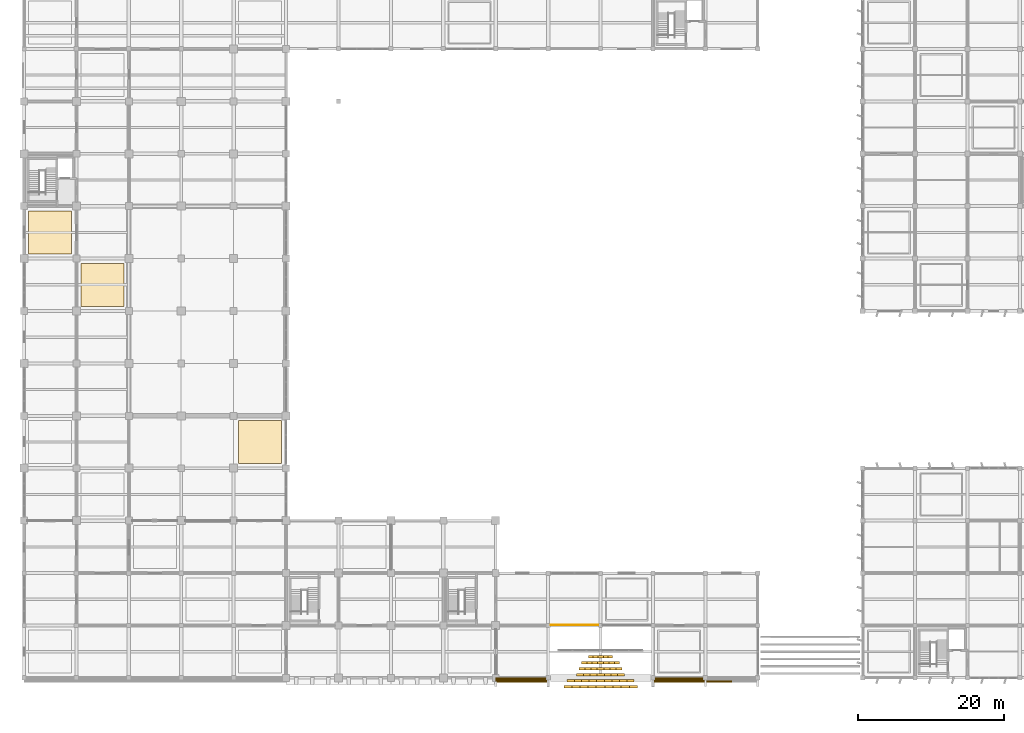
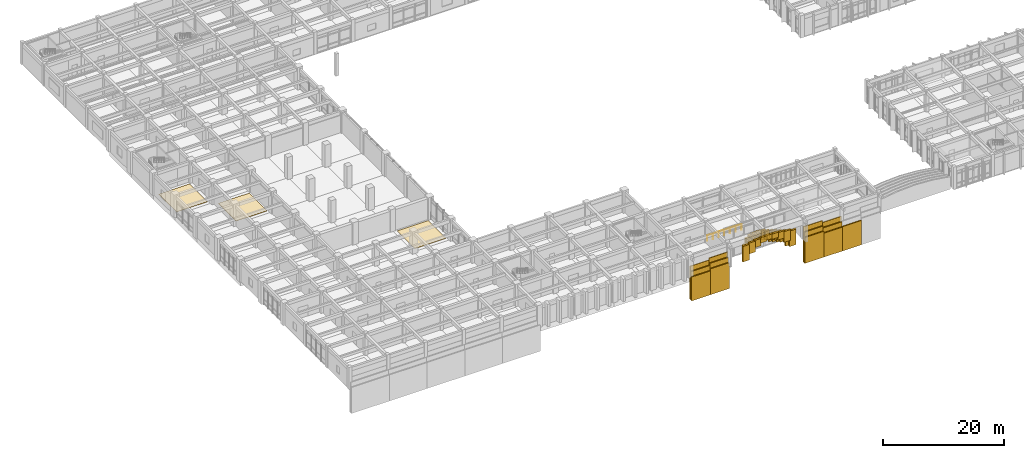
# One storey, part 74 of 81: 60 coverings, 1 railing.
"""IFC4 building model written with IfcOpenShell, lengths in metres."""

from ifc_helpers import new_model, si_unit, direction, frame, origin, origin_2d, place, context, subcontext, project, spatial, polyline, circle, outline, extrude, material, layer, layer_set, type_object, element, save


model = new_model("IFC4")

# Units and contexts
model_context = context("Model", 3, precision=1e-05, world=origin(), true_north=direction((0.0, 1.0)))
body_context = subcontext(model_context, "Body", "Model", "MODEL_VIEW")
ifc_project = project(units=[si_unit("LENGTHUNIT", "METRE"), si_unit("AREAUNIT", "SQUARE_METRE"), si_unit("VOLUMEUNIT", "CUBIC_METRE"), si_unit("PLANEANGLEUNIT", "RADIAN"), si_unit("MASSUNIT", "GRAM", prefix="KILO")], contexts=[model_context])

# Site, building, storey
site_placement = place(None, origin())
site = spatial("IfcSite", under=ifc_project, at=site_placement, CompositionType="ELEMENT")
building_placement = place(site_placement, origin())
building = spatial("IfcBuilding", under=site, at=building_placement, Name="Kavelor Marine Aquarium", CompositionType="ELEMENT")
storey_placement = place(building_placement, frame((0.0, 0.0, 4.679931640625)))
storey = spatial("IfcBuildingStorey", under=building, at=storey_placement, Name="L01", CompositionType="ELEMENT", Elevation=4.679931640625)

# Coverings
ifc_material_1 = material(Name="Concrete C45/55", Category="concrete")
ifc_layer_1 = layer(ifc_material_1, 0.300048828125)
ifc_layer_set_1 = layer_set([ifc_layer_1], Name="COV-BND1")
covering_type_1 = type_object("IfcCoveringType", Name="COV-BND1", PredefinedType="CLADDING", material=ifc_layer_set_1)
covering_1_placement = place(storey_placement, frame((0.0, 0.0, 0.36669921875)))
element("IfcCovering", 1, at=covering_1_placement, inside=storey, type_object=covering_type_1, Name="arch:south:1:seg:01", PredefinedType="CLADDING", context=body_context, shape_type="SweptSolid", body=[
    extrude(outline(polyline([(77.34912109375, 1.389892578125), (78.578125, 1.389892578125), (78.578125, 1.72998046875), (77.34912109375, 1.72998046875), (77.34912109375, 1.389892578125)])), origin(), (0.0, 0.0, 1.0), 3.125),
])
covering_2_placement = place(storey_placement, frame((0.0, 0.0, 1.59326171875)))
element("IfcCovering", 2, at=covering_2_placement, inside=storey, type_object=covering_type_1, Name="arch:south:1:seg:02", PredefinedType="CLADDING", context=body_context, shape_type="SweptSolid", body=[
    extrude(outline(polyline([(78.458251953125, 1.389892578125), (79.687255859375, 1.389892578125), (79.687255859375, 1.72998046875), (78.458251953125, 1.72998046875), (78.458251953125, 1.389892578125)])), origin(), (0.0, 0.0, 1.0), 2.164794921875),
])
covering_3_placement = place(storey_placement, frame((0.0, 0.0, 2.46923828125)))
element("IfcCovering", 3, at=covering_3_placement, inside=storey, type_object=covering_type_1, Name="arch:south:1:seg:03", PredefinedType="CLADDING", context=body_context, shape_type="SweptSolid", body=[
    extrude(outline(polyline([(79.5673828125, 1.389892578125), (80.79638671875, 1.389892578125), (80.79638671875, 1.72998046875), (79.5673828125, 1.72998046875), (79.5673828125, 1.389892578125)])), origin(), (0.0, 0.0, 1.0), 1.478759765625),
])
covering_4_placement = place(storey_placement, frame((0.0, 0.0, 2.994873046875)))
element("IfcCovering", 4, at=covering_4_placement, inside=storey, type_object=covering_type_1, Name="arch:south:1:seg:04", PredefinedType="CLADDING", context=body_context, shape_type="SweptSolid", body=[
    extrude(outline(polyline([(80.676513671875, 1.389892578125), (81.905517578125, 1.389892578125), (81.905517578125, 1.72998046875), (80.676513671875, 1.72998046875), (80.676513671875, 1.389892578125)])), origin(), (0.0, 0.0, 1.0), 1.067138671875),
])
covering_5_placement = place(storey_placement, frame((0.0, 0.0, 3.170166015625)))
element("IfcCovering", 5, at=covering_5_placement, inside=storey, type_object=covering_type_1, Name="arch:south:1:seg:05", PredefinedType="CLADDING", context=body_context, shape_type="SweptSolid", body=[
    extrude(outline(polyline([(81.785400390625, 1.389892578125), (83.014404296875, 1.389892578125), (83.014404296875, 1.72998046875), (81.785400390625, 1.72998046875), (81.785400390625, 1.389892578125)])), origin(), (0.0, 0.0, 1.0), 0.929931640625),
])
covering_6_placement = place(storey_placement, frame((0.0, 0.0, 2.994873046875)))
element("IfcCovering", 6, at=covering_6_placement, inside=storey, type_object=covering_type_1, Name="arch:south:1:seg:06", PredefinedType="CLADDING", context=body_context, shape_type="SweptSolid", body=[
    extrude(outline(polyline([(82.89453125, 1.389892578125), (84.12353515625, 1.389892578125), (84.12353515625, 1.72998046875), (82.89453125, 1.72998046875), (82.89453125, 1.389892578125)])), origin(), (0.0, 0.0, 1.0), 1.067138671875),
])
covering_7_placement = place(storey_placement, frame((0.0, 0.0, 2.46923828125)))
element("IfcCovering", 7, at=covering_7_placement, inside=storey, type_object=covering_type_1, Name="arch:south:1:seg:07", PredefinedType="CLADDING", context=body_context, shape_type="SweptSolid", body=[
    extrude(outline(polyline([(84.003662109375, 1.389892578125), (85.232666015625, 1.389892578125), (85.232666015625, 1.72998046875), (84.003662109375, 1.72998046875), (84.003662109375, 1.389892578125)])), origin(), (0.0, 0.0, 1.0), 1.478759765625),
])
covering_8_placement = place(storey_placement, frame((0.0, 0.0, 1.59326171875)))
element("IfcCovering", 8, at=covering_8_placement, inside=storey, type_object=covering_type_1, Name="arch:south:1:seg:08", PredefinedType="CLADDING", context=body_context, shape_type="SweptSolid", body=[
    extrude(outline(polyline([(85.11279296875, 1.389892578125), (86.341796875, 1.389892578125), (86.341796875, 1.72998046875), (85.11279296875, 1.72998046875), (85.11279296875, 1.389892578125)])), origin(), (0.0, 0.0, 1.0), 2.164794921875),
])
covering_9_placement = place(storey_placement, frame((0.0, 0.0, 0.36669921875)))
element("IfcCovering", 9, at=covering_9_placement, inside=storey, type_object=covering_type_1, Name="arch:south:1:seg:09", PredefinedType="CLADDING", context=body_context, shape_type="SweptSolid", body=[
    extrude(outline(polyline([(86.2216796875, 1.389892578125), (87.450927734375, 1.389892578125), (87.450927734375, 1.72998046875), (86.2216796875, 1.72998046875), (86.2216796875, 1.389892578125)])), origin(), (0.0, 0.0, 1.0), 3.125),
])
ifc_material_2 = material(Name="Concrete C45/55", Category="concrete")
ifc_layer_2 = layer(ifc_material_2, 0.320068359375)
ifc_layer_set_2 = layer_set([ifc_layer_2], Name="COV-BND2")
covering_type_2 = type_object("IfcCoveringType", Name="COV-BND2", PredefinedType="CLADDING", material=ifc_layer_set_2)
covering_10_placement = place(storey_placement, frame((0.0, 0.0, 0.05712890625)))
element("IfcCovering", 10, at=covering_10_placement, inside=storey, type_object=covering_type_2, Name="arch:south:2:seg:01", PredefinedType="CLADDING", context=body_context, shape_type="SweptSolid", body=[
    extrude(outline(polyline([(77.7744140625, 2.219970703125), (78.9091796875, 2.219970703125), (78.9091796875, 2.56005859375), (77.7744140625, 2.56005859375), (77.7744140625, 2.219970703125)])), origin(), (0.0, 0.0, 1.0), 3.0546875),
])
covering_11_placement = place(storey_placement, frame((0.0, 0.0, 1.2001953125)))
element("IfcCovering", 11, at=covering_11_placement, inside=storey, type_object=covering_type_2, Name="arch:south:2:seg:02", PredefinedType="CLADDING", context=body_context, shape_type="SweptSolid", body=[
    extrude(outline(polyline([(78.7890625, 2.219970703125), (79.923583984375, 2.219970703125), (79.923583984375, 2.56005859375), (78.7890625, 2.56005859375), (78.7890625, 2.219970703125)])), origin(), (0.0, 0.0, 1.0), 2.177734375),
])
covering_12_placement = place(storey_placement, frame((0.0, 0.0, 2.016845703125)))
element("IfcCovering", 12, at=covering_12_placement, inside=storey, type_object=covering_type_2, Name="arch:south:2:seg:03", PredefinedType="CLADDING", context=body_context, shape_type="SweptSolid", body=[
    extrude(outline(polyline([(79.8037109375, 2.219970703125), (80.938232421875, 2.219970703125), (80.938232421875, 2.56005859375), (79.8037109375, 2.56005859375), (79.8037109375, 2.219970703125)])), origin(), (0.0, 0.0, 1.0), 1.551025390625),
])
covering_13_placement = place(storey_placement, frame((0.0, 0.0, 2.5068359375)))
element("IfcCovering", 13, at=covering_13_placement, inside=storey, type_object=covering_type_2, Name="arch:south:2:seg:04", PredefinedType="CLADDING", context=body_context, shape_type="SweptSolid", body=[
    extrude(outline(polyline([(80.818115234375, 2.219970703125), (81.95263671875, 2.219970703125), (81.95263671875, 2.56005859375), (80.818115234375, 2.56005859375), (80.818115234375, 2.219970703125)])), origin(), (0.0, 0.0, 1.0), 1.17529296875),
])
covering_14_placement = place(storey_placement, frame((0.0, 0.0, 2.670166015625)))
element("IfcCovering", 14, at=covering_14_placement, inside=storey, type_object=covering_type_2, Name="arch:south:2:seg:05", PredefinedType="CLADDING", context=body_context, shape_type="SweptSolid", body=[
    extrude(outline(polyline([(81.832763671875, 2.219970703125), (82.96728515625, 2.219970703125), (82.96728515625, 2.56005859375), (81.832763671875, 2.56005859375), (81.832763671875, 2.219970703125)])), origin(), (0.0, 0.0, 1.0), 1.0498046875),
])
covering_15_placement = place(storey_placement, frame((0.0, 0.0, 2.5068359375)))
element("IfcCovering", 15, at=covering_15_placement, inside=storey, type_object=covering_type_2, Name="arch:south:2:seg:06", PredefinedType="CLADDING", context=body_context, shape_type="SweptSolid", body=[
    extrude(outline(polyline([(82.847412109375, 2.219970703125), (83.981689453125, 2.219970703125), (83.981689453125, 2.56005859375), (82.847412109375, 2.56005859375), (82.847412109375, 2.219970703125)])), origin(), (0.0, 0.0, 1.0), 1.17529296875),
])
covering_16_placement = place(storey_placement, frame((0.0, 0.0, 2.016845703125)))
element("IfcCovering", 16, at=covering_16_placement, inside=storey, type_object=covering_type_2, Name="arch:south:2:seg:07", PredefinedType="CLADDING", context=body_context, shape_type="SweptSolid", body=[
    extrude(outline(polyline([(83.86181640625, 2.219970703125), (84.996337890625, 2.219970703125), (84.996337890625, 2.56005859375), (83.86181640625, 2.56005859375), (83.86181640625, 2.219970703125)])), origin(), (0.0, 0.0, 1.0), 1.551025390625),
])
covering_17_placement = place(storey_placement, frame((0.0, 0.0, 1.2001953125)))
element("IfcCovering", 17, at=covering_17_placement, inside=storey, type_object=covering_type_2, Name="arch:south:2:seg:08", PredefinedType="CLADDING", context=body_context, shape_type="SweptSolid", body=[
    extrude(outline(polyline([(84.87646484375, 2.219970703125), (86.010986328125, 2.219970703125), (86.010986328125, 2.56005859375), (84.87646484375, 2.56005859375), (84.87646484375, 2.219970703125)])), origin(), (0.0, 0.0, 1.0), 2.177734375),
])
covering_18_placement = place(storey_placement, frame((0.0, 0.0, 0.05712890625)))
element("IfcCovering", 18, at=covering_18_placement, inside=storey, type_object=covering_type_2, Name="arch:south:2:seg:09", PredefinedType="CLADDING", context=body_context, shape_type="SweptSolid", body=[
    extrude(outline(polyline([(85.890869140625, 2.219970703125), (87.025390625, 2.219970703125), (87.025390625, 2.56005859375), (85.890869140625, 2.56005859375), (85.890869140625, 2.219970703125)])), origin(), (0.0, 0.0, 1.0), 3.0546875),
])
ifc_material_3 = material(Name="Concrete C45/55", Category="concrete")
ifc_layer_3 = layer(ifc_material_3, 0.340087890625)
ifc_layer_set_3 = layer_set([ifc_layer_3], Name="COV-BND3")
covering_type_3 = type_object("IfcCoveringType", Name="COV-BND3", PredefinedType="CLADDING", material=ifc_layer_set_3)
covering_19_placement = place(storey_placement, frame((0.0, 0.0, 0.807373046875)))
element("IfcCovering", 19, at=covering_19_placement, inside=storey, type_object=covering_type_3, Name="arch:south:3:seg:02", PredefinedType="CLADDING", context=body_context, shape_type="SweptSolid", body=[
    extrude(outline(polyline([(79.1201171875, 3.050048828125), (80.159912109375, 3.050048828125), (80.159912109375, 3.389892578125), (79.1201171875, 3.389892578125), (79.1201171875, 3.050048828125)])), origin(), (0.0, 0.0, 1.0), 2.190673828125),
])
covering_20_placement = place(storey_placement, frame((0.0, 0.0, 1.564453125)))
element("IfcCovering", 20, at=covering_20_placement, inside=storey, type_object=covering_type_3, Name="arch:south:3:seg:03", PredefinedType="CLADDING", context=body_context, shape_type="SweptSolid", body=[
    extrude(outline(polyline([(80.0400390625, 3.050048828125), (81.080078125, 3.050048828125), (81.080078125, 3.389892578125), (80.0400390625, 3.389892578125), (80.0400390625, 3.050048828125)])), origin(), (0.0, 0.0, 1.0), 1.62353515625),
])
covering_21_placement = place(storey_placement, frame((0.0, 0.0, 2.0185546875)))
element("IfcCovering", 21, at=covering_21_placement, inside=storey, type_object=covering_type_3, Name="arch:south:3:seg:04", PredefinedType="CLADDING", context=body_context, shape_type="SweptSolid", body=[
    extrude(outline(polyline([(80.9599609375, 3.050048828125), (82.0, 3.050048828125), (82.0, 3.389892578125), (80.9599609375, 3.389892578125), (80.9599609375, 3.050048828125)])), origin(), (0.0, 0.0, 1.0), 1.283447265625),
])
covering_22_placement = place(storey_placement, frame((0.0, 0.0, 2.170166015625)))
element("IfcCovering", 22, at=covering_22_placement, inside=storey, type_object=covering_type_3, Name="arch:south:3:seg:05", PredefinedType="CLADDING", context=body_context, shape_type="SweptSolid", body=[
    extrude(outline(polyline([(81.8798828125, 3.050048828125), (82.919921875, 3.050048828125), (82.919921875, 3.389892578125), (81.8798828125, 3.389892578125), (81.8798828125, 3.050048828125)])), origin(), (0.0, 0.0, 1.0), 1.169921875),
])
covering_23_placement = place(storey_placement, frame((0.0, 0.0, 2.0185546875)))
element("IfcCovering", 23, at=covering_23_placement, inside=storey, type_object=covering_type_3, Name="arch:south:3:seg:06", PredefinedType="CLADDING", context=body_context, shape_type="SweptSolid", body=[
    extrude(outline(polyline([(82.800048828125, 3.050048828125), (83.840087890625, 3.050048828125), (83.840087890625, 3.389892578125), (82.800048828125, 3.389892578125), (82.800048828125, 3.050048828125)])), origin(), (0.0, 0.0, 1.0), 1.283447265625),
])
covering_24_placement = place(storey_placement, frame((0.0, 0.0, 1.564453125)))
element("IfcCovering", 24, at=covering_24_placement, inside=storey, type_object=covering_type_3, Name="arch:south:3:seg:07", PredefinedType="CLADDING", context=body_context, shape_type="SweptSolid", body=[
    extrude(outline(polyline([(83.719970703125, 3.050048828125), (84.760009765625, 3.050048828125), (84.760009765625, 3.389892578125), (83.719970703125, 3.389892578125), (83.719970703125, 3.050048828125)])), origin(), (0.0, 0.0, 1.0), 1.62353515625),
])
covering_25_placement = place(storey_placement, frame((0.0, 0.0, 0.807373046875)))
element("IfcCovering", 25, at=covering_25_placement, inside=storey, type_object=covering_type_3, Name="arch:south:3:seg:08", PredefinedType="CLADDING", context=body_context, shape_type="SweptSolid", body=[
    extrude(outline(polyline([(84.639892578125, 3.050048828125), (85.679931640625, 3.050048828125), (85.679931640625, 3.389892578125), (84.639892578125, 3.389892578125), (84.639892578125, 3.050048828125)])), origin(), (0.0, 0.0, 1.0), 2.190673828125),
])
ifc_material_4 = material(Name="Concrete C45/55", Category="concrete")
ifc_layer_4 = layer(ifc_material_4, 0.360107421875)
ifc_layer_set_4 = layer_set([ifc_layer_4], Name="COV-BND4")
covering_type_4 = type_object("IfcCoveringType", Name="COV-BND4", PredefinedType="CLADDING", material=ifc_layer_set_4)
covering_26_placement = place(storey_placement, frame((0.0, 0.0, -4.679931640625)))
element("IfcCovering", 26, at=covering_26_placement, inside=storey, type_object=covering_type_4, Name="band:south:4:l:00", PredefinedType="CLADDING", context=body_context, shape_type="SweptSolid", body=[
    extrude(outline(polyline([(68.0, 2.18994140625), (71.60009765625, 2.18994140625), (71.60009765625, 2.409912109375), (68.0, 2.409912109375), (68.0, 2.18994140625)])), origin(), (0.0, 0.0, 1.0), 4.8076171875),
])
covering_27_placement = place(storey_placement, frame((0.0, 0.0, -4.679931640625)))
element("IfcCovering", 27, at=covering_27_placement, inside=storey, type_object=covering_type_4, Name="band:south:4:l:01", PredefinedType="CLADDING", context=body_context, shape_type="SweptSolid", body=[
    extrude(outline(polyline([(71.60009765625, 2.18994140625), (75.199951171875, 2.18994140625), (75.199951171875, 2.409912109375), (71.60009765625, 2.409912109375), (71.60009765625, 2.18994140625)])), origin(), (0.0, 0.0, 1.0), 5.20068359375),
])
covering_28_placement = place(storey_placement, frame((0.0, 0.0, -4.679931640625)))
element("IfcCovering", 28, at=covering_28_placement, inside=storey, type_object=covering_type_4, Name="band:south:4:r:00", PredefinedType="CLADDING", context=body_context, shape_type="SweptSolid", body=[
    extrude(outline(polyline([(89.60009765625, 2.18994140625), (93.199951171875, 2.18994140625), (93.199951171875, 2.409912109375), (89.60009765625, 2.409912109375), (89.60009765625, 2.18994140625)])), origin(), (0.0, 0.0, 1.0), 5.20068359375),
])
covering_29_placement = place(storey_placement, frame((0.0, 0.0, -4.679931640625)))
element("IfcCovering", 29, at=covering_29_placement, inside=storey, type_object=covering_type_4, Name="band:south:4:r:01", PredefinedType="CLADDING", context=body_context, shape_type="SweptSolid", body=[
    extrude(outline(polyline([(93.199951171875, 2.18994140625), (96.800048828125, 2.18994140625), (96.800048828125, 2.409912109375), (93.199951171875, 2.409912109375), (93.199951171875, 2.18994140625)])), origin(), (0.0, 0.0, 1.0), 4.8076171875),
])
covering_30_placement = place(storey_placement, frame((0.0, 0.0, -4.679931640625)))
element("IfcCovering", 30, at=covering_30_placement, inside=storey, type_object=covering_type_4, Name="band:south:4:r:02", PredefinedType="CLADDING", context=body_context, shape_type="SweptSolid", body=[
    extrude(outline(polyline([(96.800048828125, 2.18994140625), (100.39990234375, 2.18994140625), (100.39990234375, 2.409912109375), (96.800048828125, 2.409912109375), (96.800048828125, 2.18994140625)])), origin(), (0.0, 0.0, 1.0), 4.88037109375),
])
covering_31_placement = place(storey_placement, frame((0.0, 0.0, 0.41455078125)))
element("IfcCovering", 31, at=covering_31_placement, inside=storey, type_object=covering_type_4, Name="arch:south:4:seg:02", PredefinedType="CLADDING", context=body_context, shape_type="SweptSolid", body=[
    extrude(outline(polyline([(79.450927734375, 3.8798828125), (80.396484375, 3.8798828125), (80.396484375, 4.219970703125), (79.450927734375, 4.219970703125), (79.450927734375, 3.8798828125)])), origin(), (0.0, 0.0, 1.0), 2.203369140625),
])
covering_32_placement = place(storey_placement, frame((0.0, 0.0, 1.112060546875)))
element("IfcCovering", 32, at=covering_32_placement, inside=storey, type_object=covering_type_4, Name="arch:south:4:seg:03", PredefinedType="CLADDING", context=body_context, shape_type="SweptSolid", body=[
    extrude(outline(polyline([(80.2763671875, 3.8798828125), (81.2216796875, 3.8798828125), (81.2216796875, 4.219970703125), (80.2763671875, 4.219970703125), (80.2763671875, 3.8798828125)])), origin(), (0.0, 0.0, 1.0), 1.69580078125),
])
covering_33_placement = place(storey_placement, frame((0.0, 0.0, 1.530517578125)))
element("IfcCovering", 33, at=covering_33_placement, inside=storey, type_object=covering_type_4, Name="arch:south:4:seg:04", PredefinedType="CLADDING", context=body_context, shape_type="SweptSolid", body=[
    extrude(outline(polyline([(81.101806640625, 3.8798828125), (82.04736328125, 3.8798828125), (82.04736328125, 4.219970703125), (81.101806640625, 4.219970703125), (81.101806640625, 3.8798828125)])), origin(), (0.0, 0.0, 1.0), 1.3916015625),
])
covering_34_placement = place(storey_placement, frame((0.0, 0.0, 1.670166015625)))
element("IfcCovering", 34, at=covering_34_placement, inside=storey, type_object=covering_type_4, Name="arch:south:4:seg:05", PredefinedType="CLADDING", context=body_context, shape_type="SweptSolid", body=[
    extrude(outline(polyline([(81.92724609375, 3.8798828125), (82.872802734375, 3.8798828125), (82.872802734375, 4.219970703125), (81.92724609375, 4.219970703125), (81.92724609375, 3.8798828125)])), origin(), (0.0, 0.0, 1.0), 1.289794921875),
])
covering_35_placement = place(storey_placement, frame((0.0, 0.0, 1.530517578125)))
element("IfcCovering", 35, at=covering_35_placement, inside=storey, type_object=covering_type_4, Name="arch:south:4:seg:06", PredefinedType="CLADDING", context=body_context, shape_type="SweptSolid", body=[
    extrude(outline(polyline([(82.752685546875, 3.8798828125), (83.6982421875, 3.8798828125), (83.6982421875, 4.219970703125), (82.752685546875, 4.219970703125), (82.752685546875, 3.8798828125)])), origin(), (0.0, 0.0, 1.0), 1.3916015625),
])
covering_36_placement = place(storey_placement, frame((0.0, 0.0, 1.112060546875)))
element("IfcCovering", 36, at=covering_36_placement, inside=storey, type_object=covering_type_4, Name="arch:south:4:seg:07", PredefinedType="CLADDING", context=body_context, shape_type="SweptSolid", body=[
    extrude(outline(polyline([(83.578125, 3.8798828125), (84.523681640625, 3.8798828125), (84.523681640625, 4.219970703125), (83.578125, 4.219970703125), (83.578125, 3.8798828125)])), origin(), (0.0, 0.0, 1.0), 1.69580078125),
])
covering_37_placement = place(storey_placement, frame((0.0, 0.0, 0.41455078125)))
element("IfcCovering", 37, at=covering_37_placement, inside=storey, type_object=covering_type_4, Name="arch:south:4:seg:08", PredefinedType="CLADDING", context=body_context, shape_type="SweptSolid", body=[
    extrude(outline(polyline([(84.403564453125, 3.8798828125), (85.34912109375, 3.8798828125), (85.34912109375, 4.219970703125), (84.403564453125, 4.219970703125), (84.403564453125, 3.8798828125)])), origin(), (0.0, 0.0, 1.0), 2.203369140625),
])
ifc_material_5 = material(Name="Concrete C45/55", Category="concrete")
ifc_layer_5 = layer(ifc_material_5, 0.3798828125)
ifc_layer_set_5 = layer_set([ifc_layer_5], Name="COV-BND5")
covering_type_5 = type_object("IfcCoveringType", Name="COV-BND5", PredefinedType="CLADDING", material=ifc_layer_set_5)
covering_38_placement = place(storey_placement, frame((0.0, 0.0, -4.679931640625)))
element("IfcCovering", 38, at=covering_38_placement, inside=storey, type_object=covering_type_5, Name="band:south:5:l:00", PredefinedType="CLADDING", context=body_context, shape_type="SweptSolid", body=[
    extrude(outline(polyline([(68.0, 2.39990234375), (71.60009765625, 2.39990234375), (71.60009765625, 2.6201171875), (68.0, 2.6201171875), (68.0, 2.39990234375)])), origin(), (0.0, 0.0, 1.0), 5.767578125),
])
covering_39_placement = place(storey_placement, frame((0.0, 0.0, -4.679931640625)))
element("IfcCovering", 39, at=covering_39_placement, inside=storey, type_object=covering_type_5, Name="band:south:5:l:01", PredefinedType="CLADDING", context=body_context, shape_type="SweptSolid", body=[
    extrude(outline(polyline([(71.60009765625, 2.39990234375), (75.199951171875, 2.39990234375), (75.199951171875, 2.6201171875), (71.60009765625, 2.6201171875), (71.60009765625, 2.39990234375)])), origin(), (0.0, 0.0, 1.0), 6.16064453125),
])
covering_40_placement = place(storey_placement, frame((0.0, 0.0, -4.679931640625)))
element("IfcCovering", 40, at=covering_40_placement, inside=storey, type_object=covering_type_5, Name="band:south:5:r:00", PredefinedType="CLADDING", context=body_context, shape_type="SweptSolid", body=[
    extrude(outline(polyline([(89.60009765625, 2.39990234375), (93.199951171875, 2.39990234375), (93.199951171875, 2.6201171875), (89.60009765625, 2.6201171875), (89.60009765625, 2.39990234375)])), origin(), (0.0, 0.0, 1.0), 6.16064453125),
])
covering_41_placement = place(storey_placement, frame((0.0, 0.0, -4.679931640625)))
element("IfcCovering", 41, at=covering_41_placement, inside=storey, type_object=covering_type_5, Name="band:south:5:r:01", PredefinedType="CLADDING", context=body_context, shape_type="SweptSolid", body=[
    extrude(outline(polyline([(93.199951171875, 2.39990234375), (96.800048828125, 2.39990234375), (96.800048828125, 2.6201171875), (93.199951171875, 2.6201171875), (93.199951171875, 2.39990234375)])), origin(), (0.0, 0.0, 1.0), 5.767578125),
])
covering_42_placement = place(storey_placement, frame((0.0, 0.0, 0.021728515625)))
element("IfcCovering", 42, at=covering_42_placement, inside=storey, type_object=covering_type_5, Name="arch:south:5:seg:02", PredefinedType="CLADDING", context=body_context, shape_type="SweptSolid", body=[
    extrude(outline(polyline([(79.78173828125, 4.7099609375), (80.6328125, 4.7099609375), (80.6328125, 5.050048828125), (79.78173828125, 5.050048828125), (79.78173828125, 4.7099609375)])), origin(), (0.0, 0.0, 1.0), 2.21630859375),
])
covering_43_placement = place(storey_placement, frame((0.0, 0.0, 0.65966796875)))
element("IfcCovering", 43, at=covering_43_placement, inside=storey, type_object=covering_type_5, Name="arch:south:5:seg:03", PredefinedType="CLADDING", context=body_context, shape_type="SweptSolid", body=[
    extrude(outline(polyline([(80.5126953125, 4.7099609375), (81.363525390625, 4.7099609375), (81.363525390625, 5.050048828125), (80.5126953125, 5.050048828125), (80.5126953125, 4.7099609375)])), origin(), (0.0, 0.0, 1.0), 1.768310546875),
])
covering_44_placement = place(storey_placement, frame((0.0, 0.0, 1.04248046875)))
element("IfcCovering", 44, at=covering_44_placement, inside=storey, type_object=covering_type_5, Name="arch:south:5:seg:04", PredefinedType="CLADDING", context=body_context, shape_type="SweptSolid", body=[
    extrude(outline(polyline([(81.24365234375, 4.7099609375), (82.094482421875, 4.7099609375), (82.094482421875, 5.050048828125), (81.24365234375, 5.050048828125), (81.24365234375, 4.7099609375)])), origin(), (0.0, 0.0, 1.0), 1.49951171875),
])
covering_45_placement = place(storey_placement, frame((0.0, 0.0, 1.170166015625)))
element("IfcCovering", 45, at=covering_45_placement, inside=storey, type_object=covering_type_5, Name="arch:south:5:seg:05", PredefinedType="CLADDING", context=body_context, shape_type="SweptSolid", body=[
    extrude(outline(polyline([(81.974609375, 4.7099609375), (82.825439453125, 4.7099609375), (82.825439453125, 5.050048828125), (81.974609375, 5.050048828125), (81.974609375, 4.7099609375)])), origin(), (0.0, 0.0, 1.0), 1.409912109375),
])
covering_46_placement = place(storey_placement, frame((0.0, 0.0, 1.04248046875)))
element("IfcCovering", 46, at=covering_46_placement, inside=storey, type_object=covering_type_5, Name="arch:south:5:seg:06", PredefinedType="CLADDING", context=body_context, shape_type="SweptSolid", body=[
    extrude(outline(polyline([(82.70556640625, 4.7099609375), (83.556396484375, 4.7099609375), (83.556396484375, 5.050048828125), (82.70556640625, 5.050048828125), (82.70556640625, 4.7099609375)])), origin(), (0.0, 0.0, 1.0), 1.49951171875),
])
covering_47_placement = place(storey_placement, frame((0.0, 0.0, 0.65966796875)))
element("IfcCovering", 47, at=covering_47_placement, inside=storey, type_object=covering_type_5, Name="arch:south:5:seg:07", PredefinedType="CLADDING", context=body_context, shape_type="SweptSolid", body=[
    extrude(outline(polyline([(83.436279296875, 4.7099609375), (84.287353515625, 4.7099609375), (84.287353515625, 5.050048828125), (83.436279296875, 5.050048828125), (83.436279296875, 4.7099609375)])), origin(), (0.0, 0.0, 1.0), 1.768310546875),
])
covering_48_placement = place(storey_placement, frame((0.0, 0.0, 0.021728515625)))
element("IfcCovering", 48, at=covering_48_placement, inside=storey, type_object=covering_type_5, Name="arch:south:5:seg:08", PredefinedType="CLADDING", context=body_context, shape_type="SweptSolid", body=[
    extrude(outline(polyline([(84.167236328125, 4.7099609375), (85.018310546875, 4.7099609375), (85.018310546875, 5.050048828125), (84.167236328125, 5.050048828125), (84.167236328125, 4.7099609375)])), origin(), (0.0, 0.0, 1.0), 2.21630859375),
])
ifc_material_6 = material(Name="Concrete C45/55", Category="concrete")
ifc_layer_6 = layer(ifc_material_6, 0.39990234375)
ifc_layer_set_6 = layer_set([ifc_layer_6], Name="COV-BND6")
covering_type_6 = type_object("IfcCoveringType", Name="COV-BND6", PredefinedType="CLADDING", material=ifc_layer_set_6)
covering_49_placement = place(storey_placement, frame((0.0, 0.0, -4.679931640625)))
element("IfcCovering", 49, at=covering_49_placement, inside=storey, type_object=covering_type_6, Name="band:south:6:l:00", PredefinedType="CLADDING", context=body_context, shape_type="SweptSolid", body=[
    extrude(outline(polyline([(68.0, 2.610107421875), (71.60009765625, 2.610107421875), (71.60009765625, 2.800048828125), (68.0, 2.800048828125), (68.0, 2.610107421875)])), origin(), (0.0, 0.0, 1.0), 6.7275390625),
])
covering_50_placement = place(storey_placement, frame((0.0, 0.0, -4.679931640625)))
element("IfcCovering", 50, at=covering_50_placement, inside=storey, type_object=covering_type_6, Name="band:south:6:l:01", PredefinedType="CLADDING", context=body_context, shape_type="SweptSolid", body=[
    extrude(outline(polyline([(71.60009765625, 2.610107421875), (75.199951171875, 2.610107421875), (75.199951171875, 2.800048828125), (71.60009765625, 2.800048828125), (71.60009765625, 2.610107421875)])), origin(), (0.0, 0.0, 1.0), 7.12060546875),
])
covering_51_placement = place(storey_placement, frame((0.0, 0.0, -4.679931640625)))
element("IfcCovering", 51, at=covering_51_placement, inside=storey, type_object=covering_type_6, Name="band:south:6:r:00", PredefinedType="CLADDING", context=body_context, shape_type="SweptSolid", body=[
    extrude(outline(polyline([(89.60009765625, 2.610107421875), (93.199951171875, 2.610107421875), (93.199951171875, 2.800048828125), (89.60009765625, 2.800048828125), (89.60009765625, 2.610107421875)])), origin(), (0.0, 0.0, 1.0), 7.12060546875),
])
covering_52_placement = place(storey_placement, frame((0.0, 0.0, -4.679931640625)))
element("IfcCovering", 52, at=covering_52_placement, inside=storey, type_object=covering_type_6, Name="band:south:6:r:01", PredefinedType="CLADDING", context=body_context, shape_type="SweptSolid", body=[
    extrude(outline(polyline([(93.199951171875, 2.610107421875), (96.800048828125, 2.610107421875), (96.800048828125, 2.800048828125), (93.199951171875, 2.800048828125), (93.199951171875, 2.610107421875)])), origin(), (0.0, 0.0, 1.0), 6.7275390625),
])
covering_53_placement = place(storey_placement, frame((0.0, 0.0, 0.207275390625)))
element("IfcCovering", 53, at=covering_53_placement, inside=storey, type_object=covering_type_6, Name="arch:south:6:seg:03", PredefinedType="CLADDING", context=body_context, shape_type="SweptSolid", body=[
    extrude(outline(polyline([(80.7490234375, 5.5400390625), (81.505615234375, 5.5400390625), (81.505615234375, 5.8798828125), (80.7490234375, 5.8798828125), (80.7490234375, 5.5400390625)])), origin(), (0.0, 0.0, 1.0), 1.840576171875),
])
covering_54_placement = place(storey_placement, frame((0.0, 0.0, 0.554443359375)))
element("IfcCovering", 54, at=covering_54_placement, inside=storey, type_object=covering_type_6, Name="arch:south:6:seg:04", PredefinedType="CLADDING", context=body_context, shape_type="SweptSolid", body=[
    extrude(outline(polyline([(81.385498046875, 5.5400390625), (82.141845703125, 5.5400390625), (82.141845703125, 5.8798828125), (81.385498046875, 5.8798828125), (81.385498046875, 5.5400390625)])), origin(), (0.0, 0.0, 1.0), 1.607666015625),
])
covering_55_placement = place(storey_placement, frame((0.0, 0.0, 0.670166015625)))
element("IfcCovering", 55, at=covering_55_placement, inside=storey, type_object=covering_type_6, Name="arch:south:6:seg:05", PredefinedType="CLADDING", context=body_context, shape_type="SweptSolid", body=[
    extrude(outline(polyline([(82.021728515625, 5.5400390625), (82.7783203125, 5.5400390625), (82.7783203125, 5.8798828125), (82.021728515625, 5.8798828125), (82.021728515625, 5.5400390625)])), origin(), (0.0, 0.0, 1.0), 1.52978515625),
])
covering_56_placement = place(storey_placement, frame((0.0, 0.0, 0.554443359375)))
element("IfcCovering", 56, at=covering_56_placement, inside=storey, type_object=covering_type_6, Name="arch:south:6:seg:06", PredefinedType="CLADDING", context=body_context, shape_type="SweptSolid", body=[
    extrude(outline(polyline([(82.658203125, 5.5400390625), (83.41455078125, 5.5400390625), (83.41455078125, 5.8798828125), (82.658203125, 5.8798828125), (82.658203125, 5.5400390625)])), origin(), (0.0, 0.0, 1.0), 1.607666015625),
])
covering_57_placement = place(storey_placement, frame((0.0, 0.0, 0.207275390625)))
element("IfcCovering", 57, at=covering_57_placement, inside=storey, type_object=covering_type_6, Name="arch:south:6:seg:07", PredefinedType="CLADDING", context=body_context, shape_type="SweptSolid", body=[
    extrude(outline(polyline([(83.29443359375, 5.5400390625), (84.05078125, 5.5400390625), (84.05078125, 5.8798828125), (83.29443359375, 5.8798828125), (83.29443359375, 5.5400390625)])), origin(), (0.0, 0.0, 1.0), 1.840576171875),
])
ifc_material_7 = material(Name="Polished Coastal Terrazzo Flooring")
ifc_layer_7 = layer(ifc_material_7, 0.030029296875)
ifc_layer_set_7 = layer_set([ifc_layer_7], Name="COV-FL1")
covering_type_7 = type_object("IfcCoveringType", Name="COV-FL1", PredefinedType="FLOORING", material=ifc_layer_set_7)
covering_58_placement = place(storey_placement, origin())
element("IfcCovering", 58, at=covering_58_placement, inside=storey, type_object=covering_type_7, Name="flr:L01:00_08", PredefinedType="FLOORING", context=body_context, shape_type="SweptSolid", body=[
    extrude(outline(polyline([(3.85009765625, 61.050048828125), (9.75, 61.050048828125), (9.75, 66.949951171875), (3.85009765625, 66.949951171875), (3.85009765625, 61.050048828125)])), origin(), (0.0, 0.0, 1.0), 0.030029296875),
])
covering_59_placement = place(storey_placement, origin())
element("IfcCovering", 59, at=covering_59_placement, inside=storey, type_object=covering_type_7, Name="flr:L01:01_07", PredefinedType="FLOORING", context=body_context, shape_type="SweptSolid", body=[
    extrude(outline(polyline([(11.050048828125, 53.85009765625), (16.949951171875, 53.85009765625), (16.949951171875, 59.75), (11.050048828125, 59.75), (11.050048828125, 53.85009765625)])), origin(), (0.0, 0.0, 1.0), 0.030029296875),
])
covering_60_placement = place(storey_placement, origin())
element("IfcCovering", 60, at=covering_60_placement, inside=storey, type_object=covering_type_7, Name="flr:L01:04_04", PredefinedType="FLOORING", context=body_context, shape_type="SweptSolid", body=[
    extrude(outline(polyline([(32.64990234375, 32.25), (38.550048828125, 32.25), (38.550048828125, 38.14990234375), (32.64990234375, 38.14990234375), (32.64990234375, 32.25)])), origin(), (0.0, 0.0, 1.0), 0.030029296875),
])

# Railing
ifc_material_8 = material(Name="Laminated Glass and Stainless Steel Gallery Balustrade", Category="steel")
railing_type = type_object("IfcRailingType", Name="RL-BL1", PredefinedType="BALUSTRADE", material=ifc_material_8)
railing_placement = place(storey_placement, frame((75.550048828125, 10.080078125, 0.0)))
element("IfcRailing", 61, at=railing_placement, inside=storey, type_object=railing_type, Name="Gallery Void Balustrade BL1 (L01)", PredefinedType="BALUSTRADE", context=body_context, shape_type="SweptSolid", body=[
    extrude(circle(Radius=0.02392578125, at=origin_2d()), frame((0.0, 0.0, 1.09619140625), z_axis=(1.0, 0.0, 0.0), x_axis=(0.0, 1.0, 0.0)), (0.0, 0.0, 1.0), 6.5),
    extrude(circle(Radius=0.0224609375, at=origin_2d()), origin(), (0.0, 0.0, 1.0), 1.072021484375),
    extrude(circle(Radius=0.0224609375, at=origin_2d()), frame((1.083251953125, 0.0, 0.0)), (0.0, 0.0, 1.0), 1.072021484375),
    extrude(circle(Radius=0.0224609375, at=origin_2d()), frame((2.166748046875, 0.0, 0.0)), (0.0, 0.0, 1.0), 1.072021484375),
    extrude(circle(Radius=0.0224609375, at=origin_2d()), frame((3.25, 0.0, 0.0)), (0.0, 0.0, 1.0), 1.072021484375),
    extrude(circle(Radius=0.0224609375, at=origin_2d()), frame((4.333251953125, 0.0, 0.0)), (0.0, 0.0, 1.0), 1.072021484375),
    extrude(circle(Radius=0.0224609375, at=origin_2d()), frame((5.416748046875, 0.0, 0.0)), (0.0, 0.0, 1.0), 1.072021484375),
    extrude(circle(Radius=0.0224609375, at=origin_2d()), frame((6.5, 0.0, 0.0)), (0.0, 0.0, 1.0), 1.072021484375),
])

save(model, "model.ifc")
